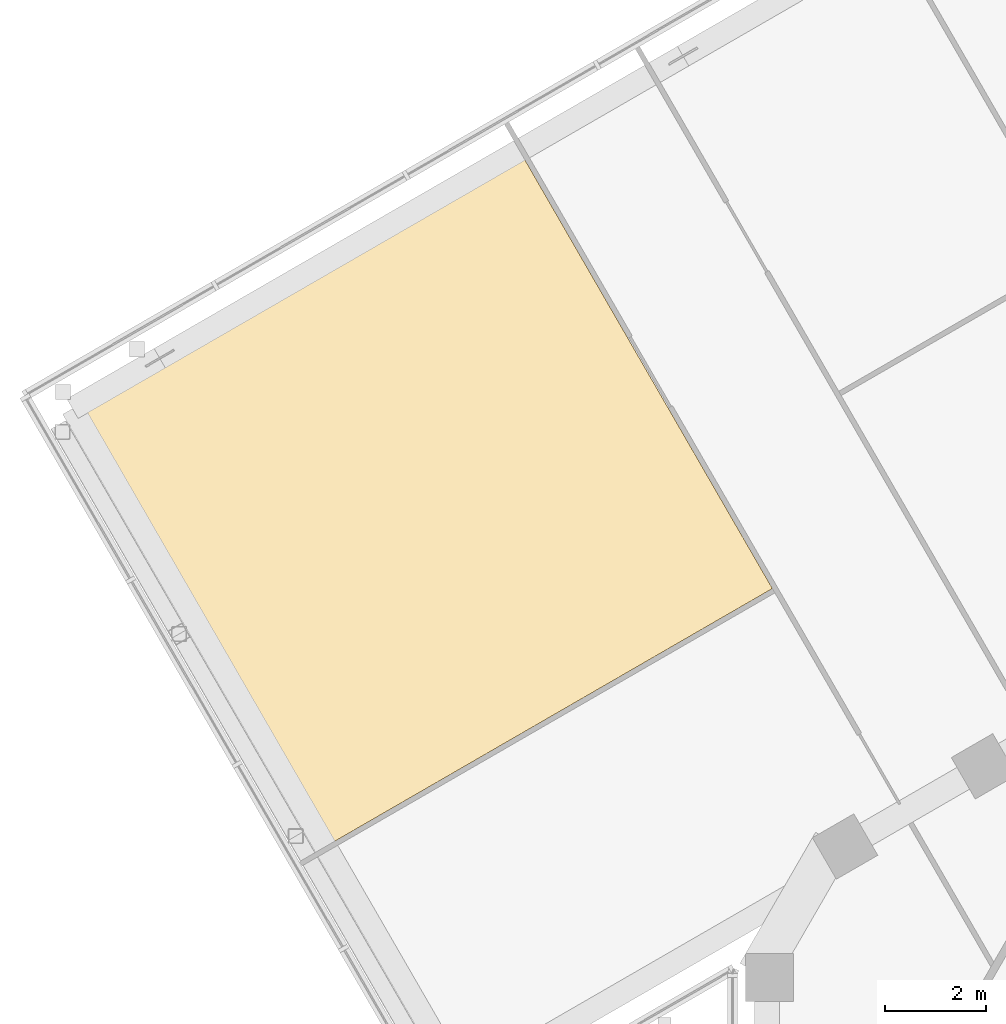
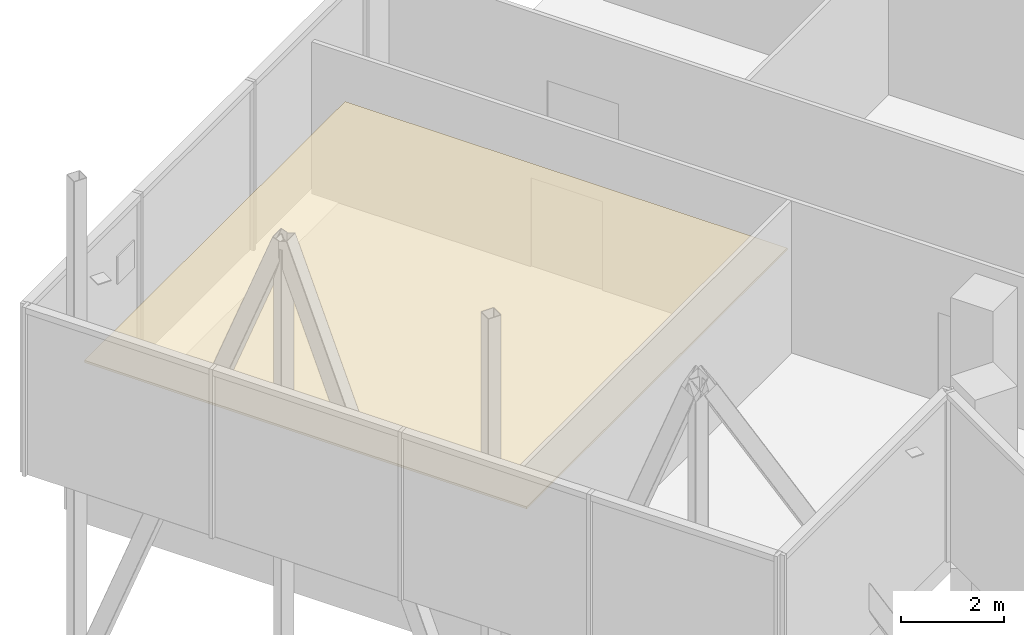
# One storey, part 21 of 21: 1 covering.
"""IFC4 building model written with IfcOpenShell, lengths in metres."""

from ifc_helpers import new_model, si_unit, direction, frame, origin, place, context, subcontext, project, spatial, polyline, outline, extrude, material, layer, layer_set, type_object, element, save


model = new_model("IFC4")

# Units and contexts
model_context = context("Model", 3, precision=1e-05, world=origin(), true_north=direction((0.0, 1.0)))
body_context = subcontext(model_context, "Body", "Model", "MODEL_VIEW")
ifc_project = project(units=[si_unit("LENGTHUNIT", "METRE"), si_unit("AREAUNIT", "SQUARE_METRE"), si_unit("VOLUMEUNIT", "CUBIC_METRE"), si_unit("PLANEANGLEUNIT", "RADIAN"), si_unit("MASSUNIT", "GRAM", prefix="KILO")], contexts=[model_context])

# Site, building, storey
site_placement = place(None, origin())
site = spatial("IfcSite", under=ifc_project, at=site_placement, CompositionType="ELEMENT")
building_placement = place(site_placement, origin())
building = spatial("IfcBuilding", under=site, at=building_placement, Name="Ayvan Gate Tower", CompositionType="ELEMENT")
storey_placement = place(building_placement, frame((0.0, 0.0, 190.699951171875)))
storey = spatial("IfcBuildingStorey", under=building, at=storey_placement, Name="L51", CompositionType="ELEMENT", Elevation=190.699951171875)

# Covering
ifc_material = material(Name="Plasterboard suspended ceiling")
ifc_layer = layer(ifc_material, 0.050048828125)
ifc_layer_set = layer_set([ifc_layer], Name="Plasterboard suspended ceiling")
covering_type = type_object("IfcCoveringType", Name="CT-SUSP-50", PredefinedType="CEILING", material=ifc_layer_set)
covering_placement = place(storey_placement, frame((0.0, 0.0, 2.400146484375)))
element("IfcCovering", 1, at=covering_placement, inside=storey, type_object=covering_type, Name="Ceiling Reading Room 4 L51", PredefinedType="CEILING", context=body_context, shape_type="SweptSolid", body=[
    extrude(outline(polyline([(-17.432373046875, 16.8916015625), (-26.17822265625, 11.842041015625), (-31.124267578125, 20.40869140625), (-22.37841796875, 25.4580078125), (-17.432373046875, 16.8916015625)])), origin(), (0.0, 0.0, 1.0), 0.0498046875),
])

save(model, "model.ifc")
